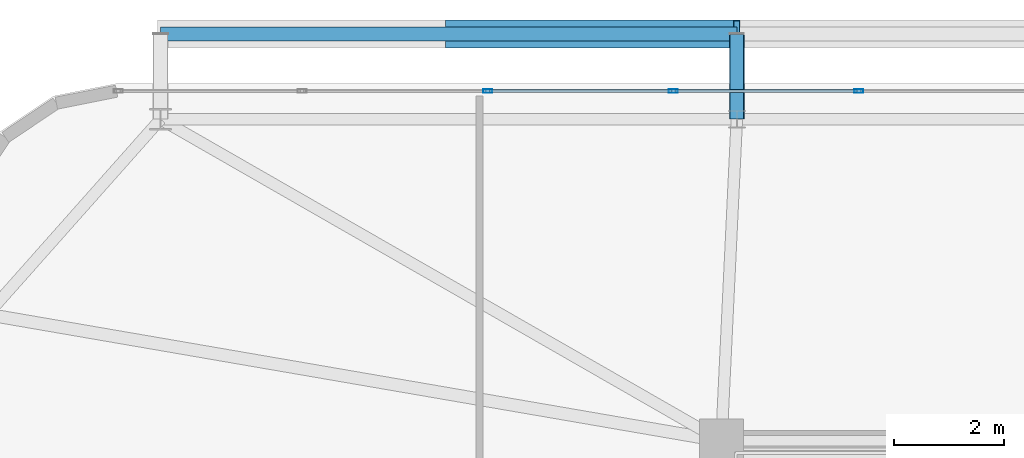
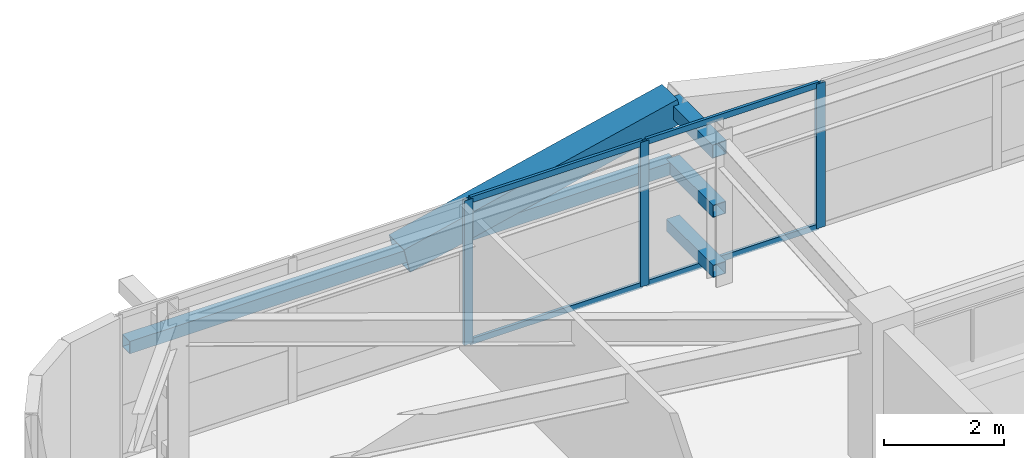
# One storey, part 35 of 59: 12 members, 1 element without a shape of its own.
"""IFC4 building model written with IfcOpenShell, lengths in metres."""

from ifc_helpers import new_model, si_unit, direction, frame, origin, origin_2d, place, context, subcontext, project, spatial, hollow_rectangle, extrude, source, transform, mapped, material, layer, layer_set, material_profile, profile_set, type_object, element, aggregate, save


model = new_model("IFC4")

# Units and contexts
model_context = context("Model", 3, precision=1e-05, world=origin(), true_north=direction((0.0, 1.0)))
body_context = subcontext(model_context, "Body", "Model", "MODEL_VIEW")
ifc_project = project(units=[si_unit("LENGTHUNIT", "METRE"), si_unit("AREAUNIT", "SQUARE_METRE"), si_unit("VOLUMEUNIT", "CUBIC_METRE"), si_unit("PLANEANGLEUNIT", "RADIAN"), si_unit("MASSUNIT", "GRAM", prefix="KILO")], contexts=[model_context])

# Site, building, storey
site_placement = place(None, origin())
site = spatial("IfcSite", under=ifc_project, at=site_placement, CompositionType="ELEMENT")
building_placement = place(site_placement, origin())
building = spatial("IfcBuilding", under=site, at=building_placement, Name="Taldren Reach Tower", CompositionType="ELEMENT")
storey_placement = place(building_placement, frame((0.0, 0.0, 48.300048828125)))
storey = spatial("IfcBuildingStorey", under=building, at=storey_placement, Name="L14", CompositionType="ELEMENT", Elevation=48.300048828125)

# Members
ifc_material_1 = material(Name="Steel Gr 450 (C450L0)", Category="steel")
ifc_material_profile_1 = material_profile(ifc_material_1, hollow_rectangle(XDim=0.27490234375, YDim=0.27490234375, WallThickness=0.00927734375, at=origin_2d()), Name="275x275x9.3SHS")
ifc_profile_set_1 = profile_set([ifc_material_profile_1], Name="Steel Gr 450 (C450L0)")
member_type_1 = type_object("IfcMemberType", Name="MB-TIE273", PredefinedType="STRUT", material=ifc_profile_set_1)
shared_shape_1 = source(origin(), body_context, "Body", "SweptSolid", [
    extrude(hollow_rectangle(XDim=0.27490234375, YDim=0.27490234375, WallThickness=0.00927734375, at=origin_2d()), origin(), (0.0, 0.0, 1.0), 1.5498046875),
])
member_1_placement = place(storey_placement, frame((19.280029296875, 37.85009765625, 2.64990234375), z_axis=(0.0, 1.0, 0.0), x_axis=(-1.0, 0.0, 0.0)))
element("IfcMember", 1, at=member_1_placement, inside=storey, type_object=member_type_1, Name="Exoskeleton diaphragm tie strut B1-N2 L14", PredefinedType="STRUT", context=body_context, shape_type="MappedRepresentation", body=[
    mapped(shared_shape_1, transform((0.0, 0.0, 0.0), scale=1.0)),
])
ifc_material_profile_2 = material_profile(ifc_material_1, hollow_rectangle(XDim=0.510009765625, YDim=0.510009765625, WallThickness=0.02001953125, at=origin_2d()), Name="510x510x20.0SHS")
ifc_profile_set_2 = profile_set([ifc_material_profile_2], Name="Steel Gr 450 (C450L0)")
member_type_2 = type_object("IfcMemberType", Name="MB-EXO508", PredefinedType="BRACE", material=ifc_profile_set_2)
shared_shape_2 = source(origin(), body_context, "Body", "SweptSolid", [
    extrude(hollow_rectangle(XDim=0.510009765625, YDim=0.510009765625, WallThickness=0.02001953125, at=origin_2d()), origin(), (0.0, 0.0, 1.0), 5.37890625),
])
member_2_placement = place(storey_placement, frame((14.0400390625, 39.39990234375, 1.43505859375), z_axis=(0.974161966843, 0.0, 0.225850531007), x_axis=(0.0, 1.0, 0.0)))
element("IfcMember", 2, at=member_2_placement, inside=storey, type_object=member_type_2, Name="Exoskeleton Diagrid Brace B1-N1 L14", PredefinedType="BRACE", context=body_context, shape_type="MappedRepresentation", body=[
    mapped(shared_shape_2, transform((0.0, 0.0, 0.0), scale=1.0)),
])
ifc_material_2 = material(Name="Steel Gr 350 (C350L0)", Category="steel")
ifc_material_profile_3 = material_profile(ifc_material_2, hollow_rectangle(XDim=0.25, YDim=0.25, WallThickness=0.010009765625, at=origin_2d()), Name="250x250x10.0SHS")
ifc_profile_set_3 = profile_set([ifc_material_profile_3], Name="Steel Gr 350 (C350L0)")
member_type_3 = type_object("IfcMemberType", Name="MB-POST250", PredefinedType="POST", material=ifc_profile_set_3)
shared_shape_3 = source(origin(), body_context, "Body", "SweptSolid", [
    extrude(hollow_rectangle(XDim=0.25, YDim=0.25, WallThickness=0.010009765625, at=origin_2d()), origin(), (0.0, 0.0, 1.0), 10.47998046875),
])
member_3_placement = place(storey_placement, frame((8.800048828125, 39.39990234375, 1.43505859375), z_axis=(1.0, 0.0, 0.0), x_axis=(0.0, 1.0, 0.0)))
element("IfcMember", 3, at=member_3_placement, inside=storey, type_object=member_type_3, Name="Exoskeleton mid-height ring chord B1-N1 L14", PredefinedType="POST", context=body_context, shape_type="MappedRepresentation", body=[
    mapped(shared_shape_3, transform((0.0, 0.0, 0.0), scale=1.0)),
])
shared_shape_4 = source(origin(), body_context, "Body", "SweptSolid", [
    extrude(hollow_rectangle(XDim=0.25, YDim=0.25, WallThickness=0.010009765625, at=origin_2d()), origin(), (0.0, 0.0, 1.0), 1.5498046875),
])
for number, where, z_axis, x_axis, name in (
    (4, (19.280029296875, 37.85009765625, 0.219970703125), (0.0, 1.0, 0.0), (-1.0, 0.0, 0.0), "Exoskeleton base diaphragm tie strut B1-N2 L14"),
    (5, (19.280029296875, 37.85009765625, 1.43505859375), (0.0, 1.0, 0.0), (-1.0, 0.0, 0.0), "Exoskeleton mid-tier diaphragm tie B1-N2 L14"),
):
    element("IfcMember", number, at=place(storey_placement, frame(where, z_axis=z_axis, x_axis=x_axis)), inside=storey, type_object=member_type_3, Name=name, PredefinedType="POST", context=body_context, shape_type="MappedRepresentation", body=[
        mapped(shared_shape_4, transform((0.0, 0.0, 0.0), scale=1.0)),
    ])

# Curtain wall, members
ifc_material_3 = material(Name="Aluminium and Low-E Glass Unitised System", Category="aluminium")
ifc_layer = layer(ifc_material_3, 0.159912109375)
ifc_layer_set = layer_set([ifc_layer], Name="Aluminium and Low-E Glass Unitised System")
curtain_wall_type = type_object("IfcCurtainWallType", Name="CW-SYS-2", PredefinedType="NOTDEFINED", material=ifc_layer_set)
curtain_wall_placement = place(storey_placement, origin())
curtain_wall = element("IfcCurtainWall", 6, at=curtain_wall_placement, inside=storey, type_object=curtain_wall_type, Name="Unitised curtain wall CW-L14-N", PredefinedType="NOTDEFINED")
ifc_material_4 = material(Name="Anodised Aluminium 6063-T6", Category="aluminium")
ifc_material_profile_4 = material_profile(ifc_material_4, hollow_rectangle(XDim=0.06494140625, YDim=0.1650390625, WallThickness=0.00390625, at=origin_2d()), Name="ALU-165x65x4RHS")
ifc_profile_set_4 = profile_set([ifc_material_profile_4], Name="Anodised Aluminium 6063-T6")
member_type_4 = type_object("IfcMemberType", Name="CW-MUL-165", PredefinedType="MULLION", material=ifc_profile_set_4)
shared_shape_5 = source(origin(), body_context, "Body", "SweptSolid", [
    extrude(hollow_rectangle(XDim=0.06494140625, YDim=0.1650390625, WallThickness=0.00390625, at=origin_2d()), origin(), (0.0, 0.0, 1.0), 2.929931640625),
])
member_4_placement = place(storey_placement, frame((21.5, 38.360107421875, 0.0), z_axis=(0.0, 0.0, 1.0), x_axis=(0.0, -1.0, 0.0)))
member_4 = element("IfcMember", 7, at=member_4_placement, type_object=member_type_4, Name="CW-2 mullion 13", PredefinedType="MULLION", context=body_context, shape_type="MappedRepresentation", body=[
    mapped(shared_shape_5, transform((0.0, 0.0, 0.0), scale=1.0)),
])
member_5_placement = place(storey_placement, frame((18.125, 38.360107421875, 0.0), z_axis=(0.0, 0.0, 1.0), x_axis=(0.0, -1.0, 0.0)))
member_5 = element("IfcMember", 8, at=member_5_placement, type_object=member_type_4, Name="CW-2 mullion 14", PredefinedType="MULLION", context=body_context, shape_type="MappedRepresentation", body=[
    mapped(shared_shape_5, transform((0.0, 0.0, 0.0), scale=1.0)),
])
member_6_placement = place(storey_placement, frame((14.75, 38.360107421875, 0.0), z_axis=(0.0, 0.0, 1.0), x_axis=(0.0, -1.0, 0.0)))
member_6 = element("IfcMember", 9, at=member_6_placement, type_object=member_type_4, Name="CW-2 mullion 15", PredefinedType="MULLION", context=body_context, shape_type="MappedRepresentation", body=[
    mapped(shared_shape_5, transform((0.0, 0.0, 0.0), scale=1.0)),
])
ifc_material_profile_5 = material_profile(ifc_material_4, hollow_rectangle(XDim=0.054931640625, YDim=0.1201171875, WallThickness=0.0029296875, at=origin_2d()), Name="ALU-120x55x3RHS")
ifc_profile_set_5 = profile_set([ifc_material_profile_5], Name="Anodised Aluminium 6063-T6")
member_type_5 = type_object("IfcMemberType", Name="CW-TRN-135", PredefinedType="USERDEFINED", material=ifc_profile_set_5)
shared_shape_6 = source(origin(), body_context, "Body", "SweptSolid", [
    extrude(hollow_rectangle(XDim=0.054931640625, YDim=0.1201171875, WallThickness=0.0029296875, at=origin_2d()), origin(), (0.0, 0.0, 1.0), 3.31005859375),
])
member_7_placement = place(storey_placement, frame((21.467529296875, 38.360107421875, 0.02734375), z_axis=(-1.0, 0.0, 0.0), x_axis=(0.0, -1.0, 0.0)))
member_7 = element("IfcMember", 10, at=member_7_placement, type_object=member_type_5, Name="CW-2 transom 13.1", ObjectType="TRANSOM", PredefinedType="USERDEFINED", context=body_context, shape_type="MappedRepresentation", body=[
    mapped(shared_shape_6, transform((0.0, 0.0, 0.0), scale=1.0)),
])
member_8_placement = place(storey_placement, frame((21.467529296875, 38.360107421875, 2.90234375), z_axis=(-1.0, 0.0, 0.0), x_axis=(0.0, -1.0, 0.0)))
member_8 = element("IfcMember", 11, at=member_8_placement, type_object=member_type_5, Name="CW-2 transom 13.2", ObjectType="TRANSOM", PredefinedType="USERDEFINED", context=body_context, shape_type="MappedRepresentation", body=[
    mapped(shared_shape_6, transform((0.0, 0.0, 0.0), scale=1.0)),
])
member_9_placement = place(storey_placement, frame((18.092529296875, 38.360107421875, 0.02734375), z_axis=(-1.0, 0.0, 0.0), x_axis=(0.0, -1.0, 0.0)))
member_9 = element("IfcMember", 12, at=member_9_placement, type_object=member_type_5, Name="CW-2 transom 14.1", ObjectType="TRANSOM", PredefinedType="USERDEFINED", context=body_context, shape_type="MappedRepresentation", body=[
    mapped(shared_shape_6, transform((0.0, 0.0, 0.0), scale=1.0)),
])
member_10_placement = place(storey_placement, frame((18.092529296875, 38.360107421875, 2.90234375), z_axis=(-1.0, 0.0, 0.0), x_axis=(0.0, -1.0, 0.0)))
member_10 = element("IfcMember", 13, at=member_10_placement, type_object=member_type_5, Name="CW-2 transom 14.2", ObjectType="TRANSOM", PredefinedType="USERDEFINED", context=body_context, shape_type="MappedRepresentation", body=[
    mapped(shared_shape_6, transform((0.0, 0.0, 0.0), scale=1.0)),
])
aggregate(curtain_wall, [member_4, member_5, member_6, member_7, member_8, member_9, member_10])

save(model, "model.ifc")
